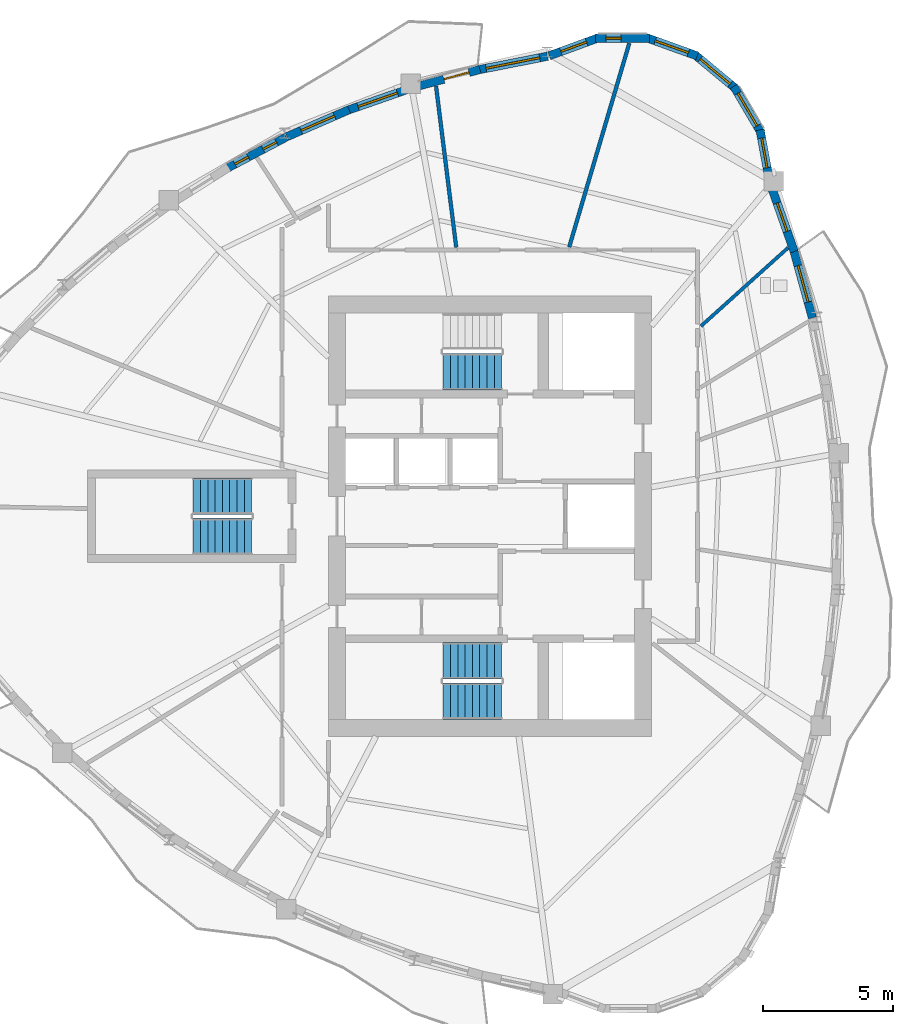
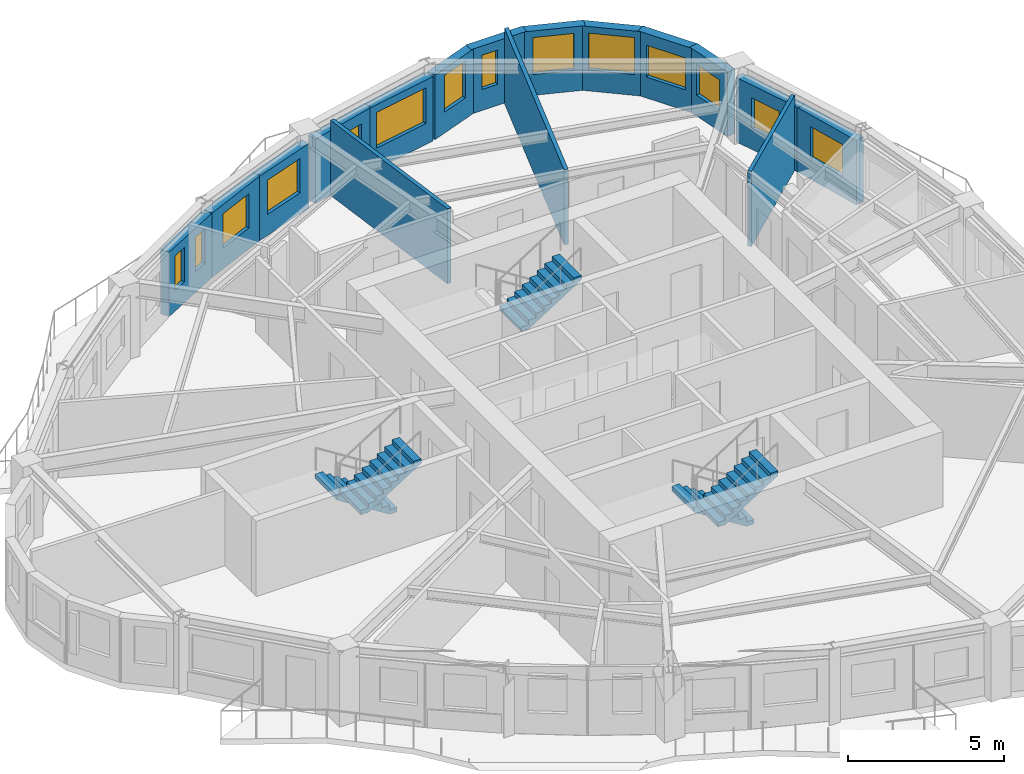
# One storey, part 7 of 12: 16 walls, 13 windows, 5 stair flights, 1 door, 14 openings, 3 elements without a shape of their own.
"""IFC4 building model written with IfcOpenShell, lengths in metres."""

from ifc_helpers import new_model, si_unit, direction, frame, frame_2d, origin, place, context, subcontext, project, spatial, polyline, rectangle, outline, extrude, source, transform, mapped, material, layer, layer_set, type_object, element, fill, aggregate, save


model = new_model("IFC4")

# Units and contexts
model_context = context("Model", 3, precision=1e-05, world=origin(), true_north=direction((0.0, 1.0)))
body_context = subcontext(model_context, "Body", "Model", "MODEL_VIEW")
ifc_project = project(units=[si_unit("LENGTHUNIT", "METRE"), si_unit("AREAUNIT", "SQUARE_METRE"), si_unit("VOLUMEUNIT", "CUBIC_METRE"), si_unit("PLANEANGLEUNIT", "RADIAN"), si_unit("MASSUNIT", "GRAM", prefix="KILO")], contexts=[model_context])

# Site, building, storey
site_placement = place(None, origin())
site = spatial("IfcSite", under=ifc_project, at=site_placement, CompositionType="ELEMENT")
building_placement = place(site_placement, origin())
building = spatial("IfcBuilding", under=site, at=building_placement, Name="Qafzar Sky-Pleat Residences", CompositionType="ELEMENT")
storey_placement = place(building_placement, frame((0.0, 0.0, 177.800048828125)))
storey = spatial("IfcBuildingStorey", under=building, at=storey_placement, Name="L53", CompositionType="ELEMENT", Elevation=177.800048828125)

# Walls
ifc_material_1 = material(Name="Acoustic gypsum plasterboard partition", Category="gypsum")
ifc_layer_1 = layer(ifc_material_1, 0.14501953125)
ifc_layer_set_1 = layer_set([ifc_layer_1], Name="Acoustic gypsum plasterboard partition")
wall_type_1 = type_object("IfcWallType", Name="PART-UNIT-145", PredefinedType="PARTITIONING", material=ifc_layer_set_1)
wall_1_placement = place(storey_placement, frame((33.39697265625, 36.338134765625, 0.0), z_axis=(0.0, 0.0, 1.0), x_axis=(0.282812266721, 0.9591752821, 0.0)))
element("IfcWall", 1, at=wall_1_placement, inside=storey, type_object=wall_type_1, Name="L53 Partition Wall PART-L53-PW-015", PredefinedType="PARTITIONING", context=body_context, shape_type="SweptSolid", body=[
    extrude(rectangle(XDim=8.163818359375, YDim=0.14501953125, at=frame_2d((4.08203125, 0.0))), origin(), (0.0, 0.0, 1.0), 2.949951171875),
])
wall_2_placement = place(storey_placement, frame((28.284423828125, 42.519287109375, 0.0), z_axis=(0.0, 0.0, 1.0), x_axis=(0.124092513413, -0.992270652652, 0.0)))
element("IfcWall", 2, at=wall_2_placement, inside=storey, type_object=wall_type_1, Name="L53 Partition Wall PART-L53-PW-018", PredefinedType="PARTITIONING", context=body_context, shape_type="SweptSolid", body=[
    extrude(rectangle(XDim=6.24072265625, YDim=0.14501953125, at=frame_2d((3.120361328125, 0.0))), origin(), (0.0, 0.0, 1.0), 2.949951171875),
])
ifc_material_2 = material(Name="Moisture-resistant gypsum partition", Category="gypsum")
ifc_layer_2 = layer(ifc_material_2, 0.1298828125)
ifc_layer_set_2 = layer_set([ifc_layer_2], Name="Moisture-resistant gypsum partition")
wall_type_2 = type_object("IfcWallType", Name="PART-WET-130", PredefinedType="PARTITIONING", material=ifc_layer_set_2)
wall_3_placement = place(storey_placement, frame((38.45947265625, 33.302490234375, 0.0), z_axis=(0.0, 0.0, 1.0), x_axis=(0.743161955126, 0.669111581467, 0.0)))
element("IfcWall", 3, at=wall_3_placement, inside=storey, type_object=wall_type_2, Name="L53 Partition Wall PART-L53-PW-022", PredefinedType="PARTITIONING", context=body_context, shape_type="SweptSolid", body=[
    extrude(rectangle(XDim=4.500244140625, YDim=0.1298828125, at=frame_2d((2.25, 0.0))), origin(), (0.0, 0.0, 1.0), 2.949951171875),
])

# Wall, opening, window
ifc_material_3 = material(Name="Precast concrete C40/50 with honed Riyadh limestone", Category="concrete")
ifc_layer_3 = layer(ifc_material_3, 0.320068359375)
ifc_layer_set_3 = layer_set([ifc_layer_3], Name="Precast concrete C40/50 with honed Riyadh limestone")
wall_type_3 = type_object("IfcWallType", Name="WALL-EXT-320", PredefinedType="SOLIDWALL", material=ifc_layer_set_3)
wall_4_placement = place(storey_placement, frame((42.738037109375, 33.620361328125, 0.0), z_axis=(0.0, 0.0, 1.0), x_axis=(-0.266368237314, 0.963871341077, 0.0)))
wall_4 = element("IfcWall", 4, at=wall_4_placement, inside=storey, type_object=wall_type_3, Name="L53 Limestone Facade Wall 31", PredefinedType="SOLIDWALL", context=body_context, shape_type="SweptSolid", body=[
    extrude(rectangle(XDim=2.724853515625, YDim=0.320068359375, at=frame_2d((1.3623046875, 0.0))), origin(), (0.0, 0.0, 1.0), 2.530029296875),
])
opening_1_placement = place(wall_4_placement, frame((0.62744140625, 0.0, 0.820068359375)))
opening_1 = element("IfcOpeningElement", 5, at=opening_1_placement, cuts=wall_4, Name="Opening WN-15", PredefinedType="OPENING", context=body_context, shape_type="SweptSolid", body=[
    extrude(rectangle(XDim=1.449951171875, YDim=1.25, at=frame_2d((0.72509765625, 0.625))), frame((0.0, 0.169921875, 0.0), z_axis=(0.0, -1.0, 0.0), x_axis=(1.0, 0.0, 0.0)), (0.0, 0.0, 1.0), 0.340087890625),
])
ifc_material_4 = material(Name="Solar-control low-E glass in bronze aluminium frame", Category="glass")
window_type_1 = type_object("IfcWindowType", Name="WIN-15", PartitioningType="SINGLE_PANEL", PredefinedType="WINDOW", material=ifc_material_4)
shared_shape_1 = source(origin(), body_context, "Body", "SweptSolid", [
    extrude(rectangle(XDim=1.449951171875, YDim=1.25, at=frame_2d((0.72509765625, 0.625))), frame((0.0, 0.030029296875, 0.0), z_axis=(0.0, -1.0, 0.0), x_axis=(1.0, 0.0, 0.0)), (0.0, 0.0, 1.0), 0.06005859375),
])
window_1_placement = place(opening_1_placement, origin())
window_1 = element("IfcWindow", 6, at=window_1_placement, inside=storey, type_object=window_type_1, Name="L53 Punched Facade Window 31", OverallHeight=1.25, OverallWidth=1.449951171875, PartitioningType="SINGLE_PANEL", PredefinedType="WINDOW", context=body_context, shape_type="MappedRepresentation", body=[
    mapped(shared_shape_1, transform((0.0, 0.0, 0.0), x_axis=(1.0, 0.0, 0.0), y_axis=(0.0, 1.0, 0.0), z_axis=(0.0, 0.0, 1.0), scale=1.0)),
])
fill(opening_1, window_1)

wall_5_placement = place(storey_placement, frame((42.0380859375, 36.163818359375, 0.0), z_axis=(0.0, 0.0, 1.0), x_axis=(-0.332757175442, 0.943012546148, 0.0)))
wall_5 = element("IfcWall", 7, at=wall_5_placement, inside=storey, type_object=wall_type_3, Name="L53 Limestone Facade Wall 32", PredefinedType="SOLIDWALL", context=body_context, shape_type="SweptSolid", body=[
    extrude(rectangle(XDim=2.6376953125, YDim=0.320068359375, at=frame_2d((1.31884765625, 0.0))), origin(), (0.0, 0.0, 1.0), 2.530029296875),
])
opening_2_placement = place(wall_5_placement, frame((0.822998046875, 0.0, 0.820068359375)))
opening_2 = element("IfcOpeningElement", 8, at=opening_2_placement, cuts=wall_5, Name="Opening WN-16", PredefinedType="OPENING", context=body_context, shape_type="SweptSolid", body=[
    extrude(rectangle(XDim=1.14990234375, YDim=1.199951171875, at=frame_2d((0.574951171875, 0.60009765625))), frame((0.0, 0.169921875, 0.0), z_axis=(0.0, -1.0, 0.0), x_axis=(1.0, 0.0, 0.0)), (0.0, 0.0, 1.0), 0.340087890625),
])
window_type_2 = type_object("IfcWindowType", Name="WIN-16", PartitioningType="SINGLE_PANEL", PredefinedType="WINDOW", material=ifc_material_4)
shared_shape_2 = source(origin(), body_context, "Body", "SweptSolid", [
    extrude(rectangle(XDim=1.14990234375, YDim=1.199951171875, at=frame_2d((0.574951171875, 0.60009765625))), frame((0.0, 0.030029296875, 0.0), z_axis=(0.0, -1.0, 0.0), x_axis=(1.0, 0.0, 0.0)), (0.0, 0.0, 1.0), 0.06005859375),
])
window_2_placement = place(opening_2_placement, origin())
window_2 = element("IfcWindow", 9, at=window_2_placement, inside=storey, type_object=window_type_2, Name="L53 Punched Facade Window 32", OverallHeight=1.199951171875, OverallWidth=1.14990234375, PartitioningType="SINGLE_PANEL", PredefinedType="WINDOW", context=body_context, shape_type="MappedRepresentation", body=[
    mapped(shared_shape_2, transform((0.0, 0.0, 0.0), x_axis=(1.0, 0.0, 0.0), y_axis=(0.0, 1.0, 0.0), z_axis=(0.0, 0.0, 1.0), scale=1.0)),
])
fill(opening_2, window_2)

wall_6_placement = place(storey_placement, frame((41.069091796875, 38.992919921875, 0.0), z_axis=(0.0, 0.0, 1.0), x_axis=(-0.182373191939, 0.983229382627, 0.0)))
wall_6 = element("IfcWall", 10, at=wall_6_placement, inside=storey, type_object=wall_type_3, Name="L53 Limestone Facade Wall 33", PredefinedType="SOLIDWALL", context=body_context, shape_type="SweptSolid", body=[
    extrude(rectangle(XDim=1.878173828125, YDim=0.320068359375, at=frame_2d((0.93896484375, 0.0))), origin(), (0.0, 0.0, 1.0), 2.530029296875),
])
opening_3_placement = place(wall_6_placement, frame((0.39892578125, 0.0, 0.820068359375)))
opening_3 = element("IfcOpeningElement", 11, at=opening_3_placement, cuts=wall_6, Name="Opening WN-16", PredefinedType="OPENING", context=body_context, shape_type="SweptSolid", body=[
    extrude(rectangle(XDim=1.14990234375, YDim=1.199951171875, at=frame_2d((0.574951171875, 0.60009765625))), frame((0.0, 0.169921875, 0.0), z_axis=(0.0, -1.0, 0.0), x_axis=(1.0, 0.0, 0.0)), (0.0, 0.0, 1.0), 0.340087890625),
])
window_3_placement = place(opening_3_placement, origin())
window_3 = element("IfcWindow", 12, at=window_3_placement, inside=storey, type_object=window_type_2, Name="L53 Punched Facade Window 33", OverallHeight=1.199951171875, OverallWidth=1.14990234375, PartitioningType="SINGLE_PANEL", PredefinedType="WINDOW", context=body_context, shape_type="MappedRepresentation", body=[
    mapped(shared_shape_2, transform((0.0, 0.0, 0.0), x_axis=(1.0, 0.0, 0.0), y_axis=(0.0, 1.0, 0.0), z_axis=(0.0, 0.0, 1.0), scale=1.0)),
])
fill(opening_3, window_3)

wall_7_placement = place(storey_placement, frame((40.77197265625, 40.717529296875, 0.0), z_axis=(0.0, 0.0, 1.0), x_axis=(-0.506312473438, 0.86235009088, 0.0)))
wall_7 = element("IfcWall", 13, at=wall_7_placement, inside=storey, type_object=wall_type_3, Name="L53 Limestone Facade Wall 34", PredefinedType="SOLIDWALL", context=body_context, shape_type="SweptSolid", body=[
    extrude(rectangle(XDim=2.0810546875, YDim=0.320068359375, at=frame_2d((1.04052734375, 0.0))), origin(), (0.0, 0.0, 1.0), 2.530029296875),
])
opening_4_placement = place(wall_7_placement, frame((0.3154296875, 0.0, 0.820068359375)))
opening_4 = element("IfcOpeningElement", 14, at=opening_4_placement, cuts=wall_7, Name="Opening WN-15", PredefinedType="OPENING", context=body_context, shape_type="SweptSolid", body=[
    extrude(rectangle(XDim=1.449951171875, YDim=1.25, at=frame_2d((0.72509765625, 0.625))), frame((0.0, 0.169921875, 0.0), z_axis=(0.0, -1.0, 0.0), x_axis=(1.0, 0.0, 0.0)), (0.0, 0.0, 1.0), 0.340087890625),
])
window_4_placement = place(opening_4_placement, origin())
window_4 = element("IfcWindow", 15, at=window_4_placement, inside=storey, type_object=window_type_1, Name="L53 Punched Facade Window 34", OverallHeight=1.25, OverallWidth=1.449951171875, PartitioningType="SINGLE_PANEL", PredefinedType="WINDOW", context=body_context, shape_type="MappedRepresentation", body=[
    mapped(shared_shape_1, transform((0.0, 0.0, 0.0), x_axis=(1.0, 0.0, 0.0), y_axis=(0.0, 1.0, 0.0), z_axis=(0.0, 0.0, 1.0), scale=1.0)),
])
fill(opening_4, window_4)

wall_8_placement = place(storey_placement, frame((39.802490234375, 42.4130859375, 0.0), z_axis=(0.0, 0.0, 1.0), x_axis=(-0.769642650648, 0.638474894028, 0.0)))
wall_8 = element("IfcWall", 16, at=wall_8_placement, inside=storey, type_object=wall_type_3, Name="L53 Limestone Facade Wall 35", PredefinedType="SOLIDWALL", context=body_context, shape_type="SweptSolid", body=[
    extrude(rectangle(XDim=2.080810546875, YDim=0.320068359375, at=frame_2d((1.04052734375, 0.0))), origin(), (0.0, 0.0, 1.0), 2.530029296875),
])
opening_5_placement = place(wall_8_placement, frame((0.29052734375, 0.0, 0.820068359375)))
opening_5 = element("IfcOpeningElement", 17, at=opening_5_placement, cuts=wall_8, Name="Opening WN-03", PredefinedType="OPENING", context=body_context, shape_type="SweptSolid", body=[
    extrude(rectangle(XDim=1.5, YDim=1.449951171875, at=frame_2d((0.75, 0.72509765625))), frame((0.0, 0.169921875, 0.0), z_axis=(0.0, -1.0, 0.0), x_axis=(1.0, 0.0, 0.0)), (0.0, 0.0, 1.0), 0.340087890625),
])
window_type_3 = type_object("IfcWindowType", Name="WIN-03", PartitioningType="DOUBLE_PANEL_VERTICAL", PredefinedType="WINDOW", material=ifc_material_4)
shared_shape_3 = source(origin(), body_context, "Body", "SweptSolid", [
    extrude(rectangle(XDim=1.5, YDim=1.449951171875, at=frame_2d((0.75, 0.72509765625))), frame((0.0, 0.030029296875, 0.0), z_axis=(0.0, -1.0, 0.0), x_axis=(1.0, 0.0, 0.0)), (0.0, 0.0, 1.0), 0.06005859375),
])
window_5_placement = place(opening_5_placement, origin())
window_5 = element("IfcWindow", 18, at=window_5_placement, inside=storey, type_object=window_type_3, Name="L53 Punched Facade Window 35", OverallHeight=1.449951171875, OverallWidth=1.5, PartitioningType="SINGLE_PANEL", PredefinedType="WINDOW", context=body_context, shape_type="MappedRepresentation", body=[
    mapped(shared_shape_3, transform((0.0, 0.0, 0.0), x_axis=(1.0, 0.0, 0.0), y_axis=(0.0, 1.0, 0.0), z_axis=(0.0, 0.0, 1.0), scale=1.0)),
])
fill(opening_5, window_5)

wall_9_placement = place(storey_placement, frame((38.31396484375, 43.67724609375, 0.0), z_axis=(0.0, 0.0, 1.0), x_axis=(-0.941071215914, 0.338208466153, 0.0)))
wall_9 = element("IfcWall", 19, at=wall_9_placement, inside=storey, type_object=wall_type_3, Name="L53 Limestone Facade Wall 36", PredefinedType="SOLIDWALL", context=body_context, shape_type="SweptSolid", body=[
    extrude(rectangle(XDim=2.0810546875, YDim=0.320068359375, at=frame_2d((1.04052734375, 0.0))), origin(), (0.0, 0.0, 1.0), 2.530029296875),
])
opening_6_placement = place(wall_9_placement, frame((0.365478515625, 0.0, 0.820068359375)))
opening_6 = element("IfcOpeningElement", 20, at=opening_6_placement, cuts=wall_9, Name="Opening WN-04", PredefinedType="OPENING", context=body_context, shape_type="SweptSolid", body=[
    extrude(rectangle(XDim=1.35009765625, YDim=1.449951171875, at=frame_2d((0.675048828125, 0.72509765625))), frame((0.0, 0.169921875, 0.0), z_axis=(0.0, -1.0, 0.0), x_axis=(1.0, 0.0, 0.0)), (0.0, 0.0, 1.0), 0.340087890625),
])
window_type_4 = type_object("IfcWindowType", Name="WIN-04", PartitioningType="SINGLE_PANEL", PredefinedType="WINDOW", material=ifc_material_4)
shared_shape_4 = source(origin(), body_context, "Body", "SweptSolid", [
    extrude(rectangle(XDim=1.35009765625, YDim=1.449951171875, at=frame_2d((0.675048828125, 0.72509765625))), frame((0.0, 0.030029296875, 0.0), z_axis=(0.0, -1.0, 0.0), x_axis=(1.0, 0.0, 0.0)), (0.0, 0.0, 1.0), 0.06005859375),
])
window_6_placement = place(opening_6_placement, origin())
window_6 = element("IfcWindow", 21, at=window_6_placement, inside=storey, type_object=window_type_4, Name="L53 Punched Facade Window 36", OverallHeight=1.449951171875, OverallWidth=1.35009765625, PartitioningType="SINGLE_PANEL", PredefinedType="WINDOW", context=body_context, shape_type="MappedRepresentation", body=[
    mapped(shared_shape_4, transform((0.0, 0.0, 0.0), x_axis=(1.0, 0.0, 0.0), y_axis=(0.0, 1.0, 0.0), z_axis=(0.0, 0.0, 1.0), scale=1.0)),
])
fill(opening_6, window_6)

wall_10_placement = place(storey_placement, frame((36.48388671875, 44.35888671875, 0.0), z_axis=(0.0, 0.0, 1.0), x_axis=(-0.999997248057, -0.0023460346, 0.0)))
wall_10 = element("IfcWall", 22, at=wall_10_placement, inside=storey, type_object=wall_type_3, Name="L53 Limestone Facade Wall 37", PredefinedType="SOLIDWALL", context=body_context, shape_type="SweptSolid", body=[
    extrude(rectangle(XDim=2.081298828125, YDim=0.320068359375, at=frame_2d((1.04052734375, 0.0))), origin(), (0.0, 0.0, 1.0), 2.530029296875),
])
opening_7_placement = place(wall_10_placement, frame((1.09423828125, 0.0, 0.820068359375)))
opening_7 = element("IfcOpeningElement", 23, at=opening_7_placement, cuts=wall_10, Name="Opening WN-17", PredefinedType="OPENING", context=body_context, shape_type="SweptSolid", body=[
    extrude(rectangle(XDim=0.580078125, YDim=1.35009765625, at=frame_2d((0.2900390625, 0.675048828125))), frame((0.0, 0.169921875, 0.0), z_axis=(0.0, -1.0, 0.0), x_axis=(1.0, 0.0, 0.0)), (0.0, 0.0, 1.0), 0.340087890625),
])
window_type_5 = type_object("IfcWindowType", Name="WIN-17", PartitioningType="SINGLE_PANEL", PredefinedType="WINDOW", material=ifc_material_4)
shared_shape_5 = source(origin(), body_context, "Body", "SweptSolid", [
    extrude(rectangle(XDim=0.580078125, YDim=1.35009765625, at=frame_2d((0.2900390625, 0.675048828125))), frame((0.0, 0.030029296875, 0.0), z_axis=(0.0, -1.0, 0.0), x_axis=(1.0, 0.0, 0.0)), (0.0, 0.0, 1.0), 0.06005859375),
])
window_7_placement = place(opening_7_placement, origin())
window_7 = element("IfcWindow", 24, at=window_7_placement, inside=storey, type_object=window_type_5, Name="L53 Punched Facade Window 37-2", OverallHeight=1.35009765625, OverallWidth=0.580078125, PartitioningType="SINGLE_PANEL", PredefinedType="WINDOW", context=body_context, shape_type="MappedRepresentation", body=[
    mapped(shared_shape_5, transform((0.0, 0.0, 0.0), x_axis=(1.0, 0.0, 0.0), y_axis=(0.0, 1.0, 0.0), z_axis=(0.0, 0.0, 1.0), scale=1.0)),
])
fill(opening_7, window_7)

wall_11_placement = place(storey_placement, frame((34.53076171875, 44.376708984375, 0.0), z_axis=(0.0, 0.0, 1.0), x_axis=(-0.939387553708, -0.342857148007, 0.0)))
wall_11 = element("IfcWall", 25, at=wall_11_placement, inside=storey, type_object=wall_type_3, Name="L53 Limestone Facade Wall 38", PredefinedType="SOLIDWALL", context=body_context, shape_type="SweptSolid", body=[
    extrude(rectangle(XDim=2.02294921875, YDim=0.320068359375, at=frame_2d((1.011474609375, 0.0))), origin(), (0.0, 0.0, 1.0), 2.530029296875),
])
opening_8_placement = place(wall_11_placement, frame((0.49658203125, 0.0, 0.820068359375)))
opening_8 = element("IfcOpeningElement", 26, at=opening_8_placement, cuts=wall_11, Name="Opening WN-06", PredefinedType="OPENING", context=body_context, shape_type="SweptSolid", body=[
    extrude(rectangle(XDim=1.050048828125, YDim=1.449951171875, at=frame_2d((0.52490234375, 0.72509765625))), frame((0.0, 0.169921875, 0.0), z_axis=(0.0, -1.0, 0.0), x_axis=(1.0, 0.0, 0.0)), (0.0, 0.0, 1.0), 0.340087890625),
])
window_type_6 = type_object("IfcWindowType", Name="WIN-06", PartitioningType="SINGLE_PANEL", PredefinedType="WINDOW", material=ifc_material_4)
shared_shape_6 = source(origin(), body_context, "Body", "SweptSolid", [
    extrude(rectangle(XDim=1.050048828125, YDim=1.449951171875, at=frame_2d((0.52490234375, 0.72509765625))), frame((0.0, 0.030029296875, 0.0), z_axis=(0.0, -1.0, 0.0), x_axis=(1.0, 0.0, 0.0)), (0.0, 0.0, 1.0), 0.06005859375),
])
window_8_placement = place(opening_8_placement, origin())
window_8 = element("IfcWindow", 27, at=window_8_placement, inside=storey, type_object=window_type_6, Name="L53 Punched Facade Window 38", OverallHeight=1.449951171875, OverallWidth=1.050048828125, PartitioningType="SINGLE_PANEL", PredefinedType="WINDOW", context=body_context, shape_type="MappedRepresentation", body=[
    mapped(shared_shape_6, transform((0.0, 0.0, 0.0), x_axis=(1.0, 0.0, 0.0), y_axis=(0.0, 1.0, 0.0), z_axis=(0.0, 0.0, 1.0), scale=1.0)),
])
fill(opening_8, window_8)

wall_12_placement = place(storey_placement, frame((32.56787109375, 43.665771484375, 0.0), z_axis=(0.0, 0.0, 1.0), x_axis=(-0.98123405142, -0.192820476959, 0.0)))
wall_12 = element("IfcWall", 28, at=wall_12_placement, inside=storey, type_object=wall_type_3, Name="L53 Limestone Facade Wall 39", PredefinedType="SOLIDWALL", context=body_context, shape_type="SweptSolid", body=[
    extrude(rectangle(XDim=2.736083984375, YDim=0.320068359375, at=frame_2d((1.3681640625, 0.0))), origin(), (0.0, 0.0, 1.0), 2.530029296875),
])
opening_9_placement = place(wall_12_placement, frame((0.30810546875, 0.0, 0.820068359375)))
opening_9 = element("IfcOpeningElement", 29, at=opening_9_placement, cuts=wall_12, Name="Opening WN-07", PredefinedType="OPENING", context=body_context, shape_type="SweptSolid", body=[
    extrude(rectangle(XDim=2.10009765625, YDim=1.39990234375, at=frame_2d((1.050048828125, 0.699951171875))), frame((0.0, 0.169921875, 0.0), z_axis=(0.0, -1.0, 0.0), x_axis=(1.0, 0.0, 0.0)), (0.0, 0.0, 1.0), 0.340087890625),
])
window_type_7 = type_object("IfcWindowType", Name="WIN-07", PartitioningType="DOUBLE_PANEL_VERTICAL", PredefinedType="WINDOW", material=ifc_material_4)
shared_shape_7 = source(origin(), body_context, "Body", "SweptSolid", [
    extrude(rectangle(XDim=2.10009765625, YDim=1.39990234375, at=frame_2d((1.050048828125, 0.699951171875))), frame((0.0, 0.030029296875, 0.0), z_axis=(0.0, -1.0, 0.0), x_axis=(1.0, 0.0, 0.0)), (0.0, 0.0, 1.0), 0.06005859375),
])
window_9_placement = place(opening_9_placement, origin())
window_9 = element("IfcWindow", 30, at=window_9_placement, inside=storey, type_object=window_type_7, Name="L53 Punched Facade Window 39", OverallHeight=1.39990234375, OverallWidth=2.10009765625, PartitioningType="SINGLE_PANEL", PredefinedType="WINDOW", context=body_context, shape_type="MappedRepresentation", body=[
    mapped(shared_shape_7, transform((0.0, 0.0, 0.0), x_axis=(1.0, 0.0, 0.0), y_axis=(0.0, 1.0, 0.0), z_axis=(0.0, 0.0, 1.0), scale=1.0)),
])
fill(opening_9, window_9)

# Wall, opening, door
wall_13_placement = place(storey_placement, frame((29.968017578125, 43.157958984375, 0.0), z_axis=(0.0, 0.0, 1.0), x_axis=(-0.965458407369, -0.260557217593, 0.0)))
wall_13 = element("IfcWall", 31, at=wall_13_placement, inside=storey, type_object=wall_type_3, Name="L53 Limestone Facade Wall 40", PredefinedType="SOLIDWALL", context=body_context, shape_type="SweptSolid", body=[
    extrude(rectangle(XDim=2.53466796875, YDim=0.320068359375, at=frame_2d((1.267333984375, 0.0))), origin(), (0.0, 0.0, 1.0), 2.530029296875),
])
opening_10_placement = place(wall_13_placement, frame((0.433837890625, 0.0, 0.0)))
opening_10 = element("IfcOpeningElement", 32, at=opening_10_placement, cuts=wall_13, Name="Opening ED-05", PredefinedType="OPENING", context=body_context, shape_type="SweptSolid", body=[
    extrude(rectangle(XDim=1.0, YDim=2.10009765625, at=frame_2d((0.5, 1.050048828125))), frame((0.0, 0.169921875, 0.0), z_axis=(0.0, -1.0, 0.0), x_axis=(1.0, 0.0, 0.0)), (0.0, 0.0, 1.0), 0.340087890625),
])
ifc_material_5 = material(Name="Glazed bronze aluminium door", Category="aluminium")
door_type = type_object("IfcDoorType", Name="DR-BAL-1000", OperationType="NOTDEFINED", PredefinedType="DOOR", material=ifc_material_5)
shared_shape_8 = source(origin(), body_context, "Body", "SweptSolid", [
    extrude(rectangle(XDim=1.0, YDim=2.10009765625, at=frame_2d((0.5, 1.050048828125))), frame((0.0, 0.02490234375, 0.0), z_axis=(0.0, -1.0, 0.0), x_axis=(1.0, 0.0, 0.0)), (0.0, 0.0, 1.0), 0.050048828125),
])
door_placement = place(opening_10_placement, origin())
door = element("IfcDoor", 33, at=door_placement, inside=storey, type_object=door_type, Name="L53 Glazed Balcony Door 2", OperationType="SINGLE_SWING_RIGHT", OverallHeight=2.10009765625, OverallWidth=1.0, PredefinedType="DOOR", context=body_context, shape_type="MappedRepresentation", body=[
    mapped(shared_shape_8, transform((0.0, 0.0, 0.0), x_axis=(1.0, 0.0, 0.0), y_axis=(0.0, 1.0, 0.0), z_axis=(0.0, 0.0, 1.0), scale=1.0)),
])
fill(opening_10, door)

# Wall, opening, window
wall_14_placement = place(storey_placement, frame((27.217041015625, 42.403564453125, 0.0), z_axis=(0.0, 0.0, 1.0), x_axis=(-0.94410869631, -0.329634296687, 0.0)))
wall_14 = element("IfcWall", 34, at=wall_14_placement, inside=storey, type_object=wall_type_3, Name="L53 Limestone Facade Wall 41", PredefinedType="SOLIDWALL", context=body_context, shape_type="SweptSolid", body=[
    extrude(rectangle(XDim=2.49072265625, YDim=0.320068359375, at=frame_2d((1.245361328125, 0.0))), origin(), (0.0, 0.0, 1.0), 2.530029296875),
])
opening_11_placement = place(wall_14_placement, frame((0.4404296875, 0.0, 0.820068359375)))
opening_11 = element("IfcOpeningElement", 35, at=opening_11_placement, cuts=wall_14, Name="Opening WN-09", PredefinedType="OPENING", context=body_context, shape_type="SweptSolid", body=[
    extrude(rectangle(XDim=1.60009765625, YDim=1.35009765625, at=frame_2d((0.800048828125, 0.675048828125))), frame((0.0, 0.169921875, 0.0), z_axis=(0.0, -1.0, 0.0), x_axis=(1.0, 0.0, 0.0)), (0.0, 0.0, 1.0), 0.340087890625),
])
window_type_8 = type_object("IfcWindowType", Name="WIN-09", PartitioningType="DOUBLE_PANEL_VERTICAL", PredefinedType="WINDOW", material=ifc_material_4)
shared_shape_9 = source(origin(), body_context, "Body", "SweptSolid", [
    extrude(rectangle(XDim=1.60009765625, YDim=1.35009765625, at=frame_2d((0.800048828125, 0.675048828125))), frame((0.0, 0.030029296875, 0.0), z_axis=(0.0, -1.0, 0.0), x_axis=(1.0, 0.0, 0.0)), (0.0, 0.0, 1.0), 0.06005859375),
])
window_10_placement = place(opening_11_placement, origin())
window_10 = element("IfcWindow", 36, at=window_10_placement, inside=storey, type_object=window_type_8, Name="L53 Punched Facade Window 41", OverallHeight=1.35009765625, OverallWidth=1.60009765625, PartitioningType="SINGLE_PANEL", PredefinedType="WINDOW", context=body_context, shape_type="MappedRepresentation", body=[
    mapped(shared_shape_9, transform((0.0, 0.0, 0.0), x_axis=(1.0, 0.0, 0.0), y_axis=(0.0, 1.0, 0.0), z_axis=(0.0, 0.0, 1.0), scale=1.0)),
])
fill(opening_11, window_10)

wall_15_placement = place(storey_placement, frame((24.947021484375, 41.614501953125, 0.0), z_axis=(0.0, 0.0, 1.0), x_axis=(-0.9171028146, -0.398650758752, 0.0)))
wall_15 = element("IfcWall", 37, at=wall_15_placement, inside=storey, type_object=wall_type_3, Name="L53 Limestone Facade Wall 42", PredefinedType="SOLIDWALL", context=body_context, shape_type="SweptSolid", body=[
    extrude(rectangle(XDim=2.6064453125, YDim=0.320068359375, at=frame_2d((1.30322265625, 0.0))), origin(), (0.0, 0.0, 1.0), 2.530029296875),
])
opening_12_placement = place(wall_15_placement, frame((0.61328125, 0.0, 0.820068359375)))
opening_12 = element("IfcOpeningElement", 38, at=opening_12_placement, cuts=wall_15, Name="Opening WN-10", PredefinedType="OPENING", context=body_context, shape_type="SweptSolid", body=[
    extrude(rectangle(XDim=1.39990234375, YDim=1.35009765625, at=frame_2d((0.699951171875, 0.675048828125))), frame((0.0, 0.169921875, 0.0), z_axis=(0.0, -1.0, 0.0), x_axis=(1.0, 0.0, 0.0)), (0.0, 0.0, 1.0), 0.340087890625),
])
window_type_9 = type_object("IfcWindowType", Name="WIN-10", PartitioningType="SINGLE_PANEL", PredefinedType="WINDOW", material=ifc_material_4)
shared_shape_10 = source(origin(), body_context, "Body", "SweptSolid", [
    extrude(rectangle(XDim=1.39990234375, YDim=1.35009765625, at=frame_2d((0.699951171875, 0.675048828125))), frame((0.0, 0.030029296875, 0.0), z_axis=(0.0, -1.0, 0.0), x_axis=(1.0, 0.0, 0.0)), (0.0, 0.0, 1.0), 0.06005859375),
])
window_11_placement = place(opening_12_placement, origin())
window_11 = element("IfcWindow", 39, at=window_11_placement, inside=storey, type_object=window_type_9, Name="L53 Punched Facade Window 42", OverallHeight=1.35009765625, OverallWidth=1.39990234375, PartitioningType="SINGLE_PANEL", PredefinedType="WINDOW", context=body_context, shape_type="MappedRepresentation", body=[
    mapped(shared_shape_10, transform((0.0, 0.0, 0.0), x_axis=(1.0, 0.0, 0.0), y_axis=(0.0, 1.0, 0.0), z_axis=(0.0, 0.0, 1.0), scale=1.0)),
])
fill(opening_12, window_11)

# Wall, openings, windows
wall_16_placement = place(storey_placement, frame((22.531494140625, 40.5634765625, 0.0), z_axis=(0.0, 0.0, 1.0), x_axis=(-0.884376111278, -0.466774992691, 0.0)))
wall_16 = element("IfcWall", 40, at=wall_16_placement, inside=storey, type_object=wall_type_3, Name="L53 Limestone Facade Wall 43", PredefinedType="SOLIDWALL", context=body_context, shape_type="SweptSolid", body=[
    extrude(rectangle(XDim=2.591552734375, YDim=0.320068359375, at=frame_2d((1.2958984375, 0.0))), origin(), (0.0, 0.0, 1.0), 2.530029296875),
])
opening_13_placement = place(wall_16_placement, frame((0.42431640625, 0.0, 0.820068359375)))
opening_13 = element("IfcOpeningElement", 41, at=opening_13_placement, cuts=wall_16, Name="Opening WN-17", PredefinedType="OPENING", context=body_context, shape_type="SweptSolid", body=[
    extrude(rectangle(XDim=0.580078125, YDim=1.35009765625, at=frame_2d((0.2900390625, 0.675048828125))), frame((0.0, 0.169921875, 0.0), z_axis=(0.0, -1.0, 0.0), x_axis=(1.0, 0.0, 0.0)), (0.0, 0.0, 1.0), 0.340087890625),
])
opening_14_placement = place(wall_16_placement, frame((1.650390625, 0.0, 0.820068359375)))
opening_14 = element("IfcOpeningElement", 42, at=opening_14_placement, cuts=wall_16, Name="Opening WN-17", PredefinedType="OPENING", context=body_context, shape_type="SweptSolid", body=[
    extrude(rectangle(XDim=0.580078125, YDim=1.35009765625, at=frame_2d((0.2900390625, 0.675048828125))), frame((0.0, 0.169921875, 0.0), z_axis=(0.0, -1.0, 0.0), x_axis=(1.0, 0.0, 0.0)), (0.0, 0.0, 1.0), 0.340087890625),
])
window_12_placement = place(opening_13_placement, origin())
window_12 = element("IfcWindow", 43, at=window_12_placement, inside=storey, type_object=window_type_5, Name="L53 Punched Facade Window 43", OverallHeight=1.35009765625, OverallWidth=0.580078125, PartitioningType="SINGLE_PANEL", PredefinedType="WINDOW", context=body_context, shape_type="MappedRepresentation", body=[
    mapped(shared_shape_5, transform((0.0, 0.0, 0.0), x_axis=(1.0, 0.0, 0.0), y_axis=(0.0, 1.0, 0.0), z_axis=(0.0, 0.0, 1.0), scale=1.0)),
])
fill(opening_13, window_12)
window_13_placement = place(opening_14_placement, origin())
window_13 = element("IfcWindow", 44, at=window_13_placement, inside=storey, type_object=window_type_5, Name="L53 Punched Facade Window 43-2", OverallHeight=1.35009765625, OverallWidth=0.580078125, PartitioningType="SINGLE_PANEL", PredefinedType="WINDOW", context=body_context, shape_type="MappedRepresentation", body=[
    mapped(shared_shape_5, transform((0.0, 0.0, 0.0), x_axis=(1.0, 0.0, 0.0), y_axis=(0.0, 1.0, 0.0), z_axis=(0.0, 0.0, 1.0), scale=1.0)),
])
fill(opening_14, window_13)

# Stair, stair flights
ifc_material_6 = material(Name="Concrete C40/50", Category="concrete")
stair_type = type_object("IfcStairType", Name="STAIR-H320", PredefinedType="HALF_TURN_STAIR", material=ifc_material_6)
stair_1_placement = place(storey_placement, origin())
stair_1 = element("IfcStair", 45, at=stair_1_placement, inside=storey, type_object=stair_type, Name="L53 Protected Exit Stair ST1", PredefinedType="HALF_TURN_STAIR")
stair_flight_type = type_object("IfcStairFlightType", Name="FLIGHT-H320", PredefinedType="STRAIGHT", material=ifc_material_6)
shared_shape_11 = source(origin(), body_context, "Body", "SweptSolid", [
    extrude(outline(polyline([(0.0, 0.0), (0.0, 0.177734375), (0.280029296875, 0.177734375), (0.280029296875, 0.35546875), (0.56005859375, 0.35546875), (0.56005859375, 0.533447265625), (0.840087890625, 0.533447265625), (0.840087890625, 0.711181640625), (1.1201171875, 0.711181640625), (1.1201171875, 0.888916015625), (1.39990234375, 0.888916015625), (1.39990234375, 1.066650390625), (1.679931640625, 1.066650390625), (1.679931640625, 1.244384765625), (1.9599609375, 1.244384765625), (1.9599609375, 1.422119140625), (2.239990234375, 1.422119140625), (2.239990234375, 1.60009765625), (2.239990234375, 1.24462890625), (0.27978515625, 0.0), (0.0, 0.0)])), frame((0.0, 0.699951171875, 0.0), z_axis=(0.0, -1.0, 0.0), x_axis=(1.0, 0.0, 0.0)), (0.0, 0.0, 1.0), 1.39990234375),
])
stair_flight_1_placement = place(storey_placement, frame((30.800048828125, 20.449951171875, 0.0), z_axis=(0.0, 0.0, 1.0), x_axis=(-1.0, 0.0, 0.0)))
stair_flight_1 = element("IfcStairFlight", 46, at=stair_flight_1_placement, type_object=stair_flight_type, Name="ST1 flight 1", NumberOfRisers=9, NumberOfTreads=8, PredefinedType="STRAIGHT", RiserHeight=0.177777778, TreadLength=0.28, context=body_context, shape_type="MappedRepresentation", body=[
    mapped(shared_shape_11, transform((0.0, 0.0, 0.0), x_axis=(1.0, 0.0, 0.0), y_axis=(0.0, 1.0, 0.0), z_axis=(0.0, 0.0, 1.0), scale=1.0)),
])
stair_flight_2_placement = place(storey_placement, frame((28.56005859375, 18.89990234375, 1.599853515625), z_axis=(0.0, 0.0, 1.0), x_axis=(1.0, 0.0, 0.0)))
stair_flight_2 = element("IfcStairFlight", 47, at=stair_flight_2_placement, type_object=stair_flight_type, Name="ST1 flight 2", NumberOfRisers=9, NumberOfTreads=8, PredefinedType="STRAIGHT", RiserHeight=0.177777778, TreadLength=0.28, context=body_context, shape_type="MappedRepresentation", body=[
    mapped(shared_shape_11, transform((0.0, 0.0, 0.0), x_axis=(1.0, 0.0, 0.0), y_axis=(0.0, 1.0, 0.0), z_axis=(0.0, 0.0, 1.0), scale=1.0)),
])
aggregate(stair_1, [stair_flight_1, stair_flight_2])

# Stair, stair flight
stair_2_placement = place(storey_placement, origin())
stair_2 = element("IfcStair", 48, at=stair_2_placement, inside=storey, type_object=stair_type, Name="L53 Protected Exit Stair ST2", PredefinedType="HALF_TURN_STAIR")
stair_flight_3_placement = place(storey_placement, frame((28.56005859375, 31.550048828125, 1.599853515625), z_axis=(0.0, 0.0, 1.0), x_axis=(1.0, 0.0, 0.0)))
stair_flight_3 = element("IfcStairFlight", 49, at=stair_flight_3_placement, type_object=stair_flight_type, Name="ST2 flight 2", NumberOfRisers=9, NumberOfTreads=8, PredefinedType="STRAIGHT", RiserHeight=0.177777778, TreadLength=0.28, context=body_context, shape_type="MappedRepresentation", body=[
    mapped(shared_shape_11, transform((0.0, 0.0, 0.0), x_axis=(1.0, 0.0, 0.0), y_axis=(0.0, 1.0, 0.0), z_axis=(0.0, 0.0, 1.0), scale=1.0)),
])
aggregate(stair_2, [stair_flight_3])

# Stair, stair flights
stair_3_placement = place(storey_placement, origin())
stair_3 = element("IfcStair", 50, at=stair_3_placement, inside=storey, type_object=stair_type, Name="L53 Protected Exit Stair ST3", PredefinedType="HALF_TURN_STAIR")
stair_flight_4_placement = place(storey_placement, frame((21.199951171875, 26.77490234375, 0.0), z_axis=(0.0, 0.0, 1.0), x_axis=(-1.0, 0.0, 0.0)))
stair_flight_4 = element("IfcStairFlight", 51, at=stair_flight_4_placement, type_object=stair_flight_type, Name="ST3 flight 1", NumberOfRisers=9, NumberOfTreads=8, PredefinedType="STRAIGHT", RiserHeight=0.177777778, TreadLength=0.28, context=body_context, shape_type="MappedRepresentation", body=[
    mapped(shared_shape_11, transform((0.0, 0.0, 0.0), x_axis=(1.0, 0.0, 0.0), y_axis=(0.0, 1.0, 0.0), z_axis=(0.0, 0.0, 1.0), scale=1.0)),
])
stair_flight_5_placement = place(storey_placement, frame((18.9599609375, 25.22509765625, 1.599853515625), z_axis=(0.0, 0.0, 1.0), x_axis=(1.0, 0.0, 0.0)))
stair_flight_5 = element("IfcStairFlight", 52, at=stair_flight_5_placement, type_object=stair_flight_type, Name="ST3 flight 2", NumberOfRisers=9, NumberOfTreads=8, PredefinedType="STRAIGHT", RiserHeight=0.177777778, TreadLength=0.28, context=body_context, shape_type="MappedRepresentation", body=[
    mapped(shared_shape_11, transform((0.0, 0.0, 0.0), x_axis=(1.0, 0.0, 0.0), y_axis=(0.0, 1.0, 0.0), z_axis=(0.0, 0.0, 1.0), scale=1.0)),
])
aggregate(stair_3, [stair_flight_4, stair_flight_5])

save(model, "model.ifc")
